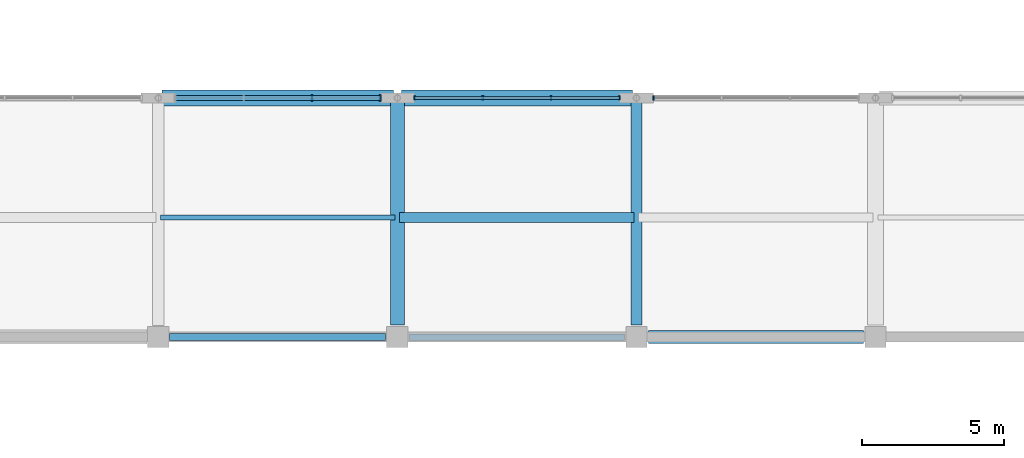
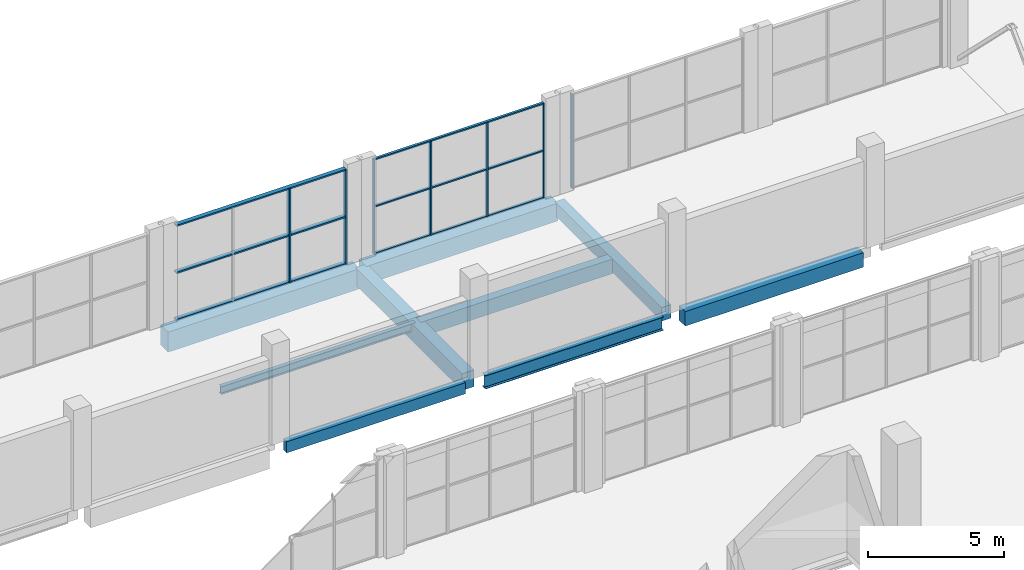
# One storey, part 30 of 75: 13 members, 9 beams, 3 elements without a shape of their own.
"""IFC4 building model written with IfcOpenShell, lengths in metres."""

from ifc_helpers import new_model, si_unit, derived_unit, direction, frame, origin, origin_2d, place, context, subcontext, project, spatial, rectangle, i_section, extrude, material, material_profile, profile_set, type_object, element, aggregate, save


model = new_model("IFC4")

# Units and contexts
model_context = context("Model", 3, precision=1e-05, world=origin(), true_north=direction((0.0, 1.0)))
body_context = subcontext(model_context, "Body", "Model", "MODEL_VIEW")
ifc_project = project(units=[si_unit("LENGTHUNIT", "METRE"), si_unit("AREAUNIT", "SQUARE_METRE"), si_unit("VOLUMEUNIT", "CUBIC_METRE"), si_unit("PLANEANGLEUNIT", "RADIAN"), si_unit("MASSUNIT", "GRAM", prefix="KILO"), derived_unit("THERMALTRANSMITTANCEUNIT", [(si_unit("POWERUNIT", "WATT"), 1), (si_unit("LENGTHUNIT", "METRE"), -2), (si_unit("THERMODYNAMICTEMPERATUREUNIT", "KELVIN"), -1)])], contexts=[model_context])

# Site, building, storey
site_placement = place(None, origin())
site = spatial("IfcSite", under=ifc_project, at=site_placement, CompositionType="ELEMENT")
building_placement = place(site_placement, origin())
building = spatial("IfcBuilding", under=site, at=building_placement, Name="Barrovel Congress Hotel", CompositionType="ELEMENT")
storey_placement = place(building_placement, frame((0.0, 0.0, 5.39990234375)))
storey = spatial("IfcBuildingStorey", under=building, at=storey_placement, Name="L01", CompositionType="ELEMENT", Elevation=5.39990234375)

# Beams
ifc_material_1 = material(Name="Concrete C40", Category="concrete")
ifc_material_profile_1 = material_profile(ifc_material_1, rectangle(XDim=0.25, YDim=0.5, at=origin_2d()), Name="RC250x500")
ifc_profile_set_1 = profile_set([ifc_material_profile_1], Name="Concrete C40")
beam_type_1 = type_object("IfcBeamType", Name="BM-RC250x500", PredefinedType="SPANDREL", material=ifc_profile_set_1)
beam_1_placement = place(storey_placement, frame((92.800048828125, 37.800048828125, -0.510009765625), z_axis=(1.0, 0.0, 0.0), x_axis=(0.0, 1.0, 0.0)))
element("IfcBeam", 1, at=beam_1_placement, inside=storey, type_object=beam_type_1, Name="BMX:L01:37.8:92.4-100.8", PredefinedType="SPANDREL", context=body_context, shape_type="SweptSolid", body=[
    extrude(rectangle(XDim=0.25, YDim=0.5, at=origin_2d()), origin(), (0.0, 0.0, 1.0), 7.574951171875),
])
ifc_material_profile_2 = material_profile(ifc_material_1, rectangle(XDim=0.35009765625, YDim=0.64990234375, at=origin_2d()), Name="RC350x650")
ifc_profile_set_2 = profile_set([ifc_material_profile_2], Name="Concrete C40")
beam_type_2 = type_object("IfcBeamType", Name="BM-RC350x650", PredefinedType="JOIST", material=ifc_profile_set_2)
beam_2_placement = place(storey_placement, frame((100.8798828125, 42.0, -0.5849609375), z_axis=(1.0, 0.0, 0.0), x_axis=(0.0, 1.0, 0.0)))
element("IfcBeam", 2, at=beam_2_placement, inside=storey, type_object=beam_type_2, Name="JST:L01:100.8:42.0", PredefinedType="JOIST", context=body_context, shape_type="SweptSolid", body=[
    extrude(rectangle(XDim=0.35009765625, YDim=0.64990234375, at=origin_2d()), origin(), (0.0, 0.0, 1.0), 8.240234375),
])
ifc_material_profile_3 = material_profile(ifc_material_1, rectangle(XDim=0.39990234375, YDim=0.60009765625, at=origin_2d()), Name="RC400x600")
ifc_profile_set_3 = profile_set([ifc_material_profile_3], Name="Concrete C40")
beam_type_3 = type_object("IfcBeamType", Name="BM-RC400x600", PredefinedType="BEAM", material=ifc_profile_set_3)
beam_3_placement = place(storey_placement, frame((109.199951171875, 38.22509765625, -0.559814453125), z_axis=(0.0, 1.0, 0.0), x_axis=(-1.0, 0.0, 0.0)))
element("IfcBeam", 3, at=beam_3_placement, inside=storey, type_object=beam_type_3, Name="BMY:L01:109.2:37.8-46.2", PredefinedType="BEAM", context=body_context, shape_type="SweptSolid", body=[
    extrude(rectangle(XDim=0.39990234375, YDim=0.60009765625, at=origin_2d()), origin(), (0.0, 0.0, 1.0), 7.83837890625),
])
ifc_material_profile_4 = material_profile(ifc_material_1, rectangle(XDim=0.449951171875, YDim=0.64990234375, at=origin_2d()), Name="RC450x650")
ifc_profile_set_4 = profile_set([ifc_material_profile_4], Name="Concrete C40")
beam_type_4 = type_object("IfcBeamType", Name="BM-RC450x650", PredefinedType="BEAM", material=ifc_profile_set_4)
beam_4_placement = place(storey_placement, frame((109.625, 37.800048828125, -0.5849609375), z_axis=(1.0, 0.0, 0.0), x_axis=(0.0, 1.0, 0.0)))
element("IfcBeam", 4, at=beam_4_placement, inside=storey, type_object=beam_type_4, Name="BMX:L01:37.8:109.2-117.6", PredefinedType="BEAM", context=body_context, shape_type="SweptSolid", body=[
    extrude(rectangle(XDim=0.449951171875, YDim=0.64990234375, at=origin_2d()), origin(), (0.0, 0.0, 1.0), 7.550048828125),
])
ifc_material_profile_5 = material_profile(ifc_material_1, rectangle(XDim=0.5, YDim=0.75, at=origin_2d()), Name="RC500x750")
ifc_profile_set_5 = profile_set([ifc_material_profile_5], Name="Concrete C40")
beam_type_5 = type_object("IfcBeamType", Name="BM-RC500x750", PredefinedType="BEAM", material=ifc_profile_set_5)
beam_5_placement = place(storey_placement, frame((100.800048828125, 38.22509765625, -0.635009765625), z_axis=(0.0, 1.0, 0.0), x_axis=(-1.0, 0.0, 0.0)))
element("IfcBeam", 5, at=beam_5_placement, inside=storey, type_object=beam_type_5, Name="BMY:L01:100.8:37.8-46.2", PredefinedType="BEAM", context=body_context, shape_type="SweptSolid", body=[
    extrude(rectangle(XDim=0.5, YDim=0.75, at=origin_2d()), origin(), (0.0, 0.0, 1.0), 7.83837890625),
])
ifc_material_profile_6 = material_profile(ifc_material_1, rectangle(XDim=0.550048828125, YDim=0.800048828125, at=origin_2d()), Name="RC550x800")
ifc_profile_set_6 = profile_set([ifc_material_profile_6], Name="Concrete C40")
beam_type_6 = type_object("IfcBeamType", Name="BM-RC550x800", PredefinedType="BEAM", material=ifc_profile_set_6)
beam_6_placement = place(storey_placement, frame((100.9365234375, 46.199951171875, -0.659912109375), z_axis=(1.0, 0.0, 0.0), x_axis=(0.0, 1.0, 0.0)))
element("IfcBeam", 6, at=beam_6_placement, inside=storey, type_object=beam_type_6, Name="BMX:L01:46.2:100.8-109.2", PredefinedType="BEAM", context=body_context, shape_type="SweptSolid", body=[
    extrude(rectangle(XDim=0.550048828125, YDim=0.800048828125, at=origin_2d()), origin(), (0.0, 0.0, 1.0), 8.126953125),
])
ifc_material_profile_7 = material_profile(ifc_material_1, rectangle(XDim=0.550048828125, YDim=0.89990234375, at=origin_2d()), Name="RC550x900")
ifc_profile_set_7 = profile_set([ifc_material_profile_7], Name="Concrete C40")
beam_type_7 = type_object("IfcBeamType", Name="BM-RC550x900", PredefinedType="BEAM", material=ifc_profile_set_7)
beam_7_placement = place(storey_placement, frame((92.53662109375, 46.199951171875, -0.7099609375), z_axis=(1.0, 0.0, 0.0), x_axis=(0.0, 1.0, 0.0)))
element("IfcBeam", 7, at=beam_7_placement, inside=storey, type_object=beam_type_7, Name="BMX:L01:46.2:92.4-100.8", PredefinedType="BEAM", context=body_context, shape_type="SweptSolid", body=[
    extrude(rectangle(XDim=0.550048828125, YDim=0.89990234375, at=origin_2d()), origin(), (0.0, 0.0, 1.0), 8.126708984375),
])

# Curtain wall, members
ifc_material_2 = material(Name="Anodised Aluminium Alloy 6063-T6", Category="aluminium")
curtain_wall_type = type_object("IfcCurtainWallType", Name="CW-ST-7200x3600", PredefinedType="USERDEFINED", material=ifc_material_2)
curtain_wall_1_placement = place(storey_placement, origin())
curtain_wall_1 = element("IfcCurtainWall", 8, at=curtain_wall_1_placement, inside=storey, type_object=curtain_wall_type, Name="CW:L01:CL:12", ObjectType="STICK CURTAIN WALL", PredefinedType="USERDEFINED")
ifc_material_profile_8 = material_profile(ifc_material_2, rectangle(XDim=0.06005859375, YDim=0.139892578125, at=origin_2d()), Name="AL-M60x140")
ifc_profile_set_8 = profile_set([ifc_material_profile_8], Name="Anodised Aluminium Alloy 6063-T6")
member_type_1 = type_object("IfcMemberType", Name="CWM-AL-M60x140", PredefinedType="MULLION", material=ifc_profile_set_8)
member_1_placement = place(storey_placement, frame((108.60009765625, 46.199951171875, 0.0), z_axis=(0.0, 0.0, 1.0), x_axis=(1.0, 0.0, 0.0)))
member_1 = element("IfcMember", 9, at=member_1_placement, type_object=member_type_1, Name="CW:L01:CL:12:M0", PredefinedType="MULLION", context=body_context, shape_type="SweptSolid", body=[
    extrude(rectangle(XDim=0.06005859375, YDim=0.139892578125, at=origin_2d()), origin(), (0.0, 0.0, 1.0), 4.22021484375),
])
member_2_placement = place(storey_placement, frame((106.199951171875, 46.199951171875, 0.0), z_axis=(0.0, 0.0, 1.0), x_axis=(1.0, 0.0, 0.0)))
member_2 = element("IfcMember", 10, at=member_2_placement, type_object=member_type_1, Name="CW:L01:CL:12:M1", PredefinedType="MULLION", context=body_context, shape_type="SweptSolid", body=[
    extrude(rectangle(XDim=0.06005859375, YDim=0.139892578125, at=origin_2d()), origin(), (0.0, 0.0, 1.0), 4.22021484375),
])
member_3_placement = place(storey_placement, frame((103.800048828125, 46.199951171875, 0.0), z_axis=(0.0, 0.0, 1.0), x_axis=(1.0, 0.0, 0.0)))
member_3 = element("IfcMember", 11, at=member_3_placement, type_object=member_type_1, Name="CW:L01:CL:12:M2", PredefinedType="MULLION", context=body_context, shape_type="SweptSolid", body=[
    extrude(rectangle(XDim=0.06005859375, YDim=0.139892578125, at=origin_2d()), origin(), (0.0, 0.0, 1.0), 4.22021484375),
])
member_4_placement = place(storey_placement, frame((101.39990234375, 46.199951171875, 0.0), z_axis=(0.0, 0.0, 1.0), x_axis=(1.0, 0.0, 0.0)))
member_4 = element("IfcMember", 12, at=member_4_placement, type_object=member_type_1, Name="CW:L01:CL:12:M3", PredefinedType="MULLION", context=body_context, shape_type="SweptSolid", body=[
    extrude(rectangle(XDim=0.06005859375, YDim=0.139892578125, at=origin_2d()), origin(), (0.0, 0.0, 1.0), 4.22021484375),
])

# Curtain wall, member
curtain_wall_2_placement = place(storey_placement, origin())
curtain_wall_2 = element("IfcCurtainWall", 13, at=curtain_wall_2_placement, inside=storey, type_object=curtain_wall_type, Name="CW:L01:CL:13", ObjectType="STICK CURTAIN WALL", PredefinedType="USERDEFINED")
ifc_material_profile_9 = material_profile(ifc_material_2, rectangle(XDim=0.06005859375, YDim=0.1650390625, at=origin_2d()), Name="AL-M60x165")
ifc_profile_set_9 = profile_set([ifc_material_profile_9], Name="Anodised Aluminium Alloy 6063-T6")
member_type_2 = type_object("IfcMemberType", Name="CWM-AL-M60x165", PredefinedType="MULLION", material=ifc_profile_set_9)
member_5_placement = place(storey_placement, frame((109.800048828125, 46.199951171875, 0.0), z_axis=(0.0, 0.0, 1.0), x_axis=(1.0, 0.0, 0.0)))
member_5 = element("IfcMember", 14, at=member_5_placement, type_object=member_type_2, Name="CW:L01:CL:13:M3", PredefinedType="MULLION", context=body_context, shape_type="SweptSolid", body=[
    extrude(rectangle(XDim=0.06005859375, YDim=0.1650390625, at=origin_2d()), origin(), (0.0, 0.0, 1.0), 4.22021484375),
])
aggregate(curtain_wall_2, [member_5])

# Curtain wall, members
curtain_wall_3_placement = place(storey_placement, origin())
curtain_wall_3 = element("IfcCurtainWall", 15, at=curtain_wall_3_placement, inside=storey, type_object=curtain_wall_type, Name="CW:L01:CL:11", ObjectType="STICK CURTAIN WALL", PredefinedType="USERDEFINED")
ifc_material_profile_10 = material_profile(ifc_material_2, rectangle(XDim=0.06494140625, YDim=0.219970703125, at=origin_2d()), Name="AL-M65x220")
ifc_profile_set_10 = profile_set([ifc_material_profile_10], Name="Anodised Aluminium Alloy 6063-T6")
member_type_3 = type_object("IfcMemberType", Name="CWM-AL-M65x220", PredefinedType="MULLION", material=ifc_profile_set_10)
member_6_placement = place(storey_placement, frame((100.199951171875, 46.199951171875, 0.0), z_axis=(0.0, 0.0, 1.0), x_axis=(1.0, 0.0, 0.0)))
member_6 = element("IfcMember", 16, at=member_6_placement, type_object=member_type_3, Name="CW:L01:CL:11:M0", PredefinedType="MULLION", context=body_context, shape_type="SweptSolid", body=[
    extrude(rectangle(XDim=0.06494140625, YDim=0.219970703125, at=origin_2d()), origin(), (0.0, 0.0, 1.0), 4.22021484375),
])
member_7_placement = place(storey_placement, frame((97.800048828125, 46.199951171875, 0.0), z_axis=(0.0, 0.0, 1.0), x_axis=(1.0, 0.0, 0.0)))
member_7 = element("IfcMember", 17, at=member_7_placement, type_object=member_type_3, Name="CW:L01:CL:11:M1", PredefinedType="MULLION", context=body_context, shape_type="SweptSolid", body=[
    extrude(rectangle(XDim=0.06494140625, YDim=0.219970703125, at=origin_2d()), origin(), (0.0, 0.0, 1.0), 4.22021484375),
])

# Member
ifc_material_profile_11 = material_profile(ifc_material_2, rectangle(XDim=0.10498046875, YDim=0.06005859375, at=origin_2d()), Name="AL-T60x105")
ifc_profile_set_11 = profile_set([ifc_material_profile_11], Name="Anodised Aluminium Alloy 6063-T6")
member_type_4 = type_object("IfcMemberType", Name="CWT-AL-T60x105", PredefinedType="USERDEFINED", material=ifc_profile_set_11)
member_8_placement = place(storey_placement, frame((108.60009765625, 46.199951171875, 0.0), z_axis=(-1.0, 0.0, 0.0), x_axis=(0.0, -1.0, 0.0)))
member_8 = element("IfcMember", 18, at=member_8_placement, type_object=member_type_4, Name="CW:L01:CL:12:T0", ObjectType="TRANSOM", PredefinedType="USERDEFINED", context=body_context, shape_type="SweptSolid", body=[
    extrude(rectangle(XDim=0.10498046875, YDim=0.06005859375, at=origin_2d()), origin(), (0.0, 0.0, 1.0), 7.2001953125),
])

member_9_placement = place(storey_placement, frame((108.60009765625, 46.199951171875, 2.110107421875), z_axis=(-1.0, 0.0, 0.0), x_axis=(0.0, -1.0, 0.0)))
member_9 = element("IfcMember", 19, at=member_9_placement, type_object=member_type_4, Name="CW:L01:CL:12:T1", ObjectType="TRANSOM", PredefinedType="USERDEFINED", context=body_context, shape_type="SweptSolid", body=[
    extrude(rectangle(XDim=0.10498046875, YDim=0.06005859375, at=origin_2d()), origin(), (0.0, 0.0, 1.0), 7.2001953125),
])

member_10_placement = place(storey_placement, frame((108.60009765625, 46.199951171875, 4.22021484375), z_axis=(-1.0, 0.0, 0.0), x_axis=(0.0, -1.0, 0.0)))
member_10 = element("IfcMember", 20, at=member_10_placement, type_object=member_type_4, Name="CW:L01:CL:12:T2", ObjectType="TRANSOM", PredefinedType="USERDEFINED", context=body_context, shape_type="SweptSolid", body=[
    extrude(rectangle(XDim=0.10498046875, YDim=0.06005859375, at=origin_2d()), origin(), (0.0, 0.0, 1.0), 7.2001953125),
])

aggregate(curtain_wall_1, [member_1, member_2, member_3, member_4, member_8, member_9, member_10])

ifc_material_profile_12 = material_profile(ifc_material_2, rectangle(XDim=0.179931640625, YDim=0.06494140625, at=origin_2d()), Name="AL-T65x180")
ifc_profile_set_12 = profile_set([ifc_material_profile_12], Name="Anodised Aluminium Alloy 6063-T6")
member_type_5 = type_object("IfcMemberType", Name="CWT-AL-T65x180", PredefinedType="USERDEFINED", material=ifc_profile_set_12)
member_11_placement = place(storey_placement, frame((100.199951171875, 46.199951171875, 0.0), z_axis=(-1.0, 0.0, 0.0), x_axis=(0.0, -1.0, 0.0)))
member_11 = element("IfcMember", 21, at=member_11_placement, type_object=member_type_5, Name="CW:L01:CL:11:T0", ObjectType="TRANSOM", PredefinedType="USERDEFINED", context=body_context, shape_type="SweptSolid", body=[
    extrude(rectangle(XDim=0.179931640625, YDim=0.06494140625, at=origin_2d()), origin(), (0.0, 0.0, 1.0), 7.199951171875),
])

member_12_placement = place(storey_placement, frame((100.199951171875, 46.199951171875, 2.110107421875), z_axis=(-1.0, 0.0, 0.0), x_axis=(0.0, -1.0, 0.0)))
member_12 = element("IfcMember", 22, at=member_12_placement, type_object=member_type_5, Name="CW:L01:CL:11:T1", ObjectType="TRANSOM", PredefinedType="USERDEFINED", context=body_context, shape_type="SweptSolid", body=[
    extrude(rectangle(XDim=0.179931640625, YDim=0.06494140625, at=origin_2d()), origin(), (0.0, 0.0, 1.0), 7.199951171875),
])

member_13_placement = place(storey_placement, frame((100.199951171875, 46.199951171875, 4.22021484375), z_axis=(-1.0, 0.0, 0.0), x_axis=(0.0, -1.0, 0.0)))
member_13 = element("IfcMember", 23, at=member_13_placement, type_object=member_type_5, Name="CW:L01:CL:11:T2", ObjectType="TRANSOM", PredefinedType="USERDEFINED", context=body_context, shape_type="SweptSolid", body=[
    extrude(rectangle(XDim=0.179931640625, YDim=0.06494140625, at=origin_2d()), origin(), (0.0, 0.0, 1.0), 7.199951171875),
])

aggregate(curtain_wall_3, [member_6, member_7, member_11, member_12, member_13])

# Beams
ifc_material_3 = material(Name="Steel ASTM A992 Grade 50", Category="steel")
ifc_material_profile_13 = material_profile(ifc_material_3, i_section(OverallWidth=0.1708984375, OverallDepth=0.35205078125, WebThickness=0.0068359375, FlangeThickness=0.009765625, FilletRadius=0.011962890625, at=origin_2d()), Name="W360x44")
ifc_profile_set_13 = profile_set([ifc_material_profile_13], Name="Steel ASTM A992 Grade 50")
beam_type_8 = type_object("IfcBeamType", Name="SBM-W360x44", PredefinedType="JOIST", material=ifc_profile_set_13)
beam_8_placement = place(storey_placement, frame((92.47998046875, 42.0, -0.435791015625), z_axis=(1.0, 0.0, 0.0), x_axis=(0.0, 1.0, 0.0)))
element("IfcBeam", 24, at=beam_8_placement, inside=storey, type_object=beam_type_8, Name="JST:L01:92.4:42.0", PredefinedType="JOIST", context=body_context, shape_type="SweptSolid", body=[
    extrude(i_section(OverallWidth=0.1708984375, OverallDepth=0.35205078125, WebThickness=0.0068359375, FlangeThickness=0.009765625, FilletRadius=0.011962890625, at=origin_2d()), origin(), (0.0, 0.0, 1.0), 8.239990234375),
])
ifc_material_profile_14 = material_profile(ifc_material_3, i_section(OverallWidth=0.22802734375, OverallDepth=0.60302734375, WebThickness=0.010498046875, FlangeThickness=0.014892578125, FilletRadius=0.014892578125, at=origin_2d()), Name="W610x101")
ifc_profile_set_14 = profile_set([ifc_material_profile_14], Name="Steel ASTM A992 Grade 50")
beam_type_9 = type_object("IfcBeamType", Name="SBM-W610x101", PredefinedType="BEAM", material=ifc_profile_set_14)
beam_9_placement = place(storey_placement, frame((101.22509765625, 37.800048828125, -0.5615234375), z_axis=(1.0, 0.0, 0.0), x_axis=(0.0, 1.0, 0.0)))
element("IfcBeam", 25, at=beam_9_placement, inside=storey, type_object=beam_type_9, Name="BMX:L01:37.8:100.8-109.2", PredefinedType="BEAM", context=body_context, shape_type="SweptSolid", body=[
    extrude(i_section(OverallWidth=0.22802734375, OverallDepth=0.60302734375, WebThickness=0.010498046875, FlangeThickness=0.014892578125, FilletRadius=0.014892578125, at=origin_2d()), origin(), (0.0, 0.0, 1.0), 7.5498046875),
])

save(model, "model.ifc")
